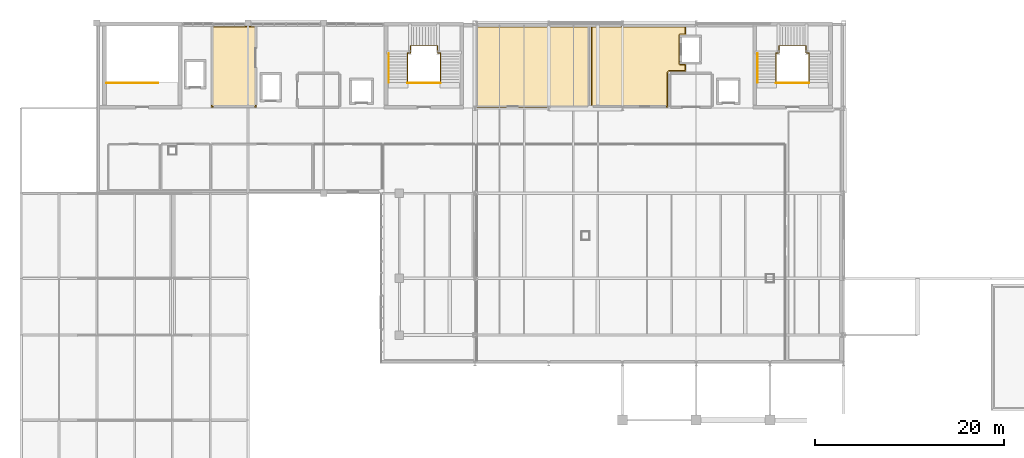
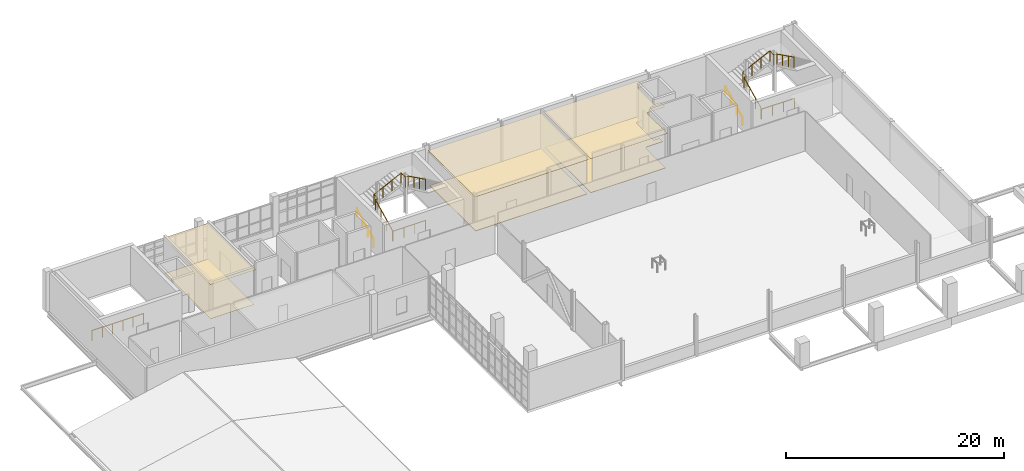
# One storey, part 38 of 38: 7 railings, 6 coverings.
"""IFC4 building model written with IfcOpenShell, lengths in metres."""

from ifc_helpers import new_model, si_unit, derived_unit, direction, frame, origin, origin_2d, place, context, subcontext, project, spatial, polyline, circle, outline, extrude, material, layer, layer_set, type_object, element, save


model = new_model("IFC4")

# Units and contexts
model_context = context("Model", 3, precision=1e-05, world=origin(), true_north=direction((0.0, 1.0)))
body_context = subcontext(model_context, "Body", "Model", "MODEL_VIEW")
ifc_project = project(units=[si_unit("LENGTHUNIT", "METRE"), si_unit("AREAUNIT", "SQUARE_METRE"), si_unit("VOLUMEUNIT", "CUBIC_METRE"), si_unit("PLANEANGLEUNIT", "RADIAN"), si_unit("MASSUNIT", "GRAM", prefix="KILO"), derived_unit("THERMALTRANSMITTANCEUNIT", [(si_unit("POWERUNIT", "WATT"), 1), (si_unit("LENGTHUNIT", "METRE"), -2), (si_unit("THERMODYNAMICTEMPERATUREUNIT", "KELVIN"), -1)])], contexts=[model_context])

# Site, building, storey
site_placement = place(None, origin())
site = spatial("IfcSite", under=ifc_project, at=site_placement, CompositionType="ELEMENT")
building_placement = place(site_placement, origin())
building = spatial("IfcBuilding", under=site, at=building_placement, Name="Nallur Shell Playhouse", CompositionType="ELEMENT")
storey_placement = place(building_placement, frame((0.0, 0.0, 24.300048828125)))
storey = spatial("IfcBuildingStorey", under=building, at=storey_placement, Name="L06", CompositionType="ELEMENT", Elevation=24.300048828125)

# Coverings
ifc_material_1 = material(Name="Micro-Perforated Teak Veneer Acoustic Baffle Ceiling")
ifc_layer_1 = layer(ifc_material_1, 0.044921875)
ifc_layer_set_1 = layer_set([ifc_layer_1], Name="Micro-Perforated Teak Veneer Acoustic Baffle Ceiling")
covering_type_1 = type_object("IfcCoveringType", Name="CV-CEIL-AC1", PredefinedType="CEILING", material=ifc_layer_set_1)
covering_1_placement = place(storey_placement, frame((0.0, 0.0, 3.905029296875)))
element("IfcCovering", 1, at=covering_1_placement, inside=storey, type_object=covering_type_1, Name="Costume Conservation & Textile Laboratory suspended acoustic ceiling", PredefinedType="CEILING", context=body_context, shape_type="SweptSolid", body=[
    extrude(outline(polyline([(64.090087890625, 74.090087890625), (64.090087890625, 82.7099609375), (76.110107421875, 82.7099609375), (76.110107421875, 74.090087890625), (64.090087890625, 74.090087890625)])), origin(), (0.0, 0.0, 1.0), 0.044921875),
])
ifc_material_2 = material(Name="Mineral-Fibre High-NRC Suspended Ceiling Tile")
ifc_layer_2 = layer(ifc_material_2, 0.030029296875)
ifc_layer_set_2 = layer_set([ifc_layer_2], Name="Mineral-Fibre High-NRC Suspended Ceiling Tile")
covering_type_2 = type_object("IfcCoveringType", Name="CV-CEIL-AC2", PredefinedType="CEILING", material=ifc_layer_set_2)
covering_2_placement = place(storey_placement, frame((0.0, 0.0, 3.919921875)))
element("IfcCovering", 2, at=covering_2_placement, inside=storey, type_object=covering_type_2, Name="Foley & Sound Recording Studio suspended acoustic ceiling", PredefinedType="CEILING", context=body_context, shape_type="SweptSolid", body=[
    extrude(outline(polyline([(36.090087890625, 74.090087890625), (36.090087890625, 82.7099609375), (40.909912109375, 82.7099609375), (40.909912109375, 74.090087890625), (36.090087890625, 74.090087890625)])), origin(), (0.0, 0.0, 1.0), 0.030029296875),
])
covering_3_placement = place(storey_placement, frame((0.0, 0.0, 3.919921875)))
element("IfcCovering", 3, at=covering_3_placement, inside=storey, type_object=covering_type_2, Name="Performing Arts Archive & Dramaturgy Reading Room suspended acoustic ceiling", PredefinedType="CEILING", context=body_context, shape_type="SweptSolid", body=[
    extrude(outline(polyline([(86.31005859375, 81.7099609375), (85.68994140625, 81.7099609375), (85.68994140625, 78.68994140625), (86.31005859375, 78.68994140625), (86.31005859375, 77.8701171875), (84.60107421875, 77.8701171875), (84.59912109375, 77.8701171875), (84.585205078125, 77.869384765625), (84.580810546875, 77.868896484375), (84.569580078125, 77.8671875), (84.56494140625, 77.8662109375), (84.552978515625, 77.86328125), (84.548583984375, 77.86181640625), (84.537109375, 77.85791015625), (84.533447265625, 77.856201171875), (84.521728515625, 77.850830078125), (84.517822265625, 77.8486328125), (84.50732421875, 77.84228515625), (84.50341796875, 77.83984375), (84.494384765625, 77.8330078125), (84.490966796875, 77.830078125), (84.4814453125, 77.821533203125), (84.478515625, 77.818603515625), (84.4697265625, 77.80908203125), (84.466796875, 77.8056640625), (84.460205078125, 77.796630859375), (84.457763671875, 77.792724609375), (84.451416015625, 77.7822265625), (84.44921875, 77.7783203125), (84.443603515625, 77.7666015625), (84.442138671875, 77.7626953125), (84.43798828125, 77.75146484375), (84.436767578125, 77.7470703125), (84.433837890625, 77.735107421875), (84.432861328125, 77.73046875), (84.43115234375, 77.71923828125), (84.4306640625, 77.714599609375), (84.429931640625, 77.700927734375), (84.429931640625, 77.698974609375), (84.429931640625, 74.090087890625), (76.2900390625, 74.090087890625), (76.2900390625, 82.7099609375), (86.31005859375, 82.7099609375), (86.31005859375, 81.7099609375)])), origin(), (0.0, 0.0, 1.0), 0.030029296875),
])
ifc_material_3 = material(Name="Heavy-Duty Woven Wool Auditorium Acoustic Flooring")
ifc_layer_3 = layer(ifc_material_3, 0.02001953125)
ifc_layer_set_3 = layer_set([ifc_layer_3], Name="Heavy-Duty Woven Wool Auditorium Acoustic Flooring")
covering_type_3 = type_object("IfcCoveringType", Name="CV-FLOR-CARPET", PredefinedType="FLOORING", material=ifc_layer_set_3)
covering_4_placement = place(storey_placement, origin())
element("IfcCovering", 4, at=covering_4_placement, inside=storey, type_object=covering_type_3, Name="Foley & Sound Recording Studio floor finish", PredefinedType="FLOORING", context=body_context, shape_type="SweptSolid", body=[
    extrude(outline(polyline([(36.199951171875, 74.199951171875), (36.199951171875, 82.60009765625), (40.800048828125, 82.60009765625), (40.800048828125, 74.199951171875), (36.199951171875, 74.199951171875)])), origin(), (0.0, 0.0, 1.0), 0.02001953125),
])
ifc_material_4 = material(Name="Polished Chettinad Oxide & White Marble Terrazzo Flooring", Category="masonry")
ifc_layer_4 = layer(ifc_material_4, 0.050048828125)
ifc_layer_set_4 = layer_set([ifc_layer_4], Name="Polished Chettinad Oxide & White Marble Terrazzo Flooring")
covering_type_4 = type_object("IfcCoveringType", Name="CV-FLOR-TERRAZZO", PredefinedType="FLOORING", material=ifc_layer_set_4)
covering_5_placement = place(storey_placement, origin())
element("IfcCovering", 5, at=covering_5_placement, inside=storey, type_object=covering_type_4, Name="Costume Conservation & Textile Laboratory floor finish", PredefinedType="FLOORING", context=body_context, shape_type="SweptSolid", body=[
    extrude(outline(polyline([(64.199951171875, 74.199951171875), (64.199951171875, 82.60009765625), (76.0, 82.60009765625), (76.0, 74.199951171875), (64.199951171875, 74.199951171875)])), origin(), (0.0, 0.0, 1.0), 0.050048828125),
])
covering_6_placement = place(storey_placement, origin())
element("IfcCovering", 6, at=covering_6_placement, inside=storey, type_object=covering_type_4, Name="Performing Arts Archive & Dramaturgy Reading Room floor finish", PredefinedType="FLOORING", context=body_context, shape_type="SweptSolid", body=[
    extrude(outline(polyline([(86.199951171875, 81.820068359375), (85.679931640625, 81.820068359375), (85.670166015625, 81.819580078125), (85.660400390625, 81.818115234375), (85.65087890625, 81.815673828125), (85.6416015625, 81.8125), (85.6328125, 81.80810546875), (85.62451171875, 81.802978515625), (85.61669921875, 81.79736328125), (85.609375, 81.790771484375), (85.602783203125, 81.783447265625), (85.596923828125, 81.775634765625), (85.591796875, 81.76708984375), (85.587646484375, 81.75830078125), (85.584228515625, 81.7490234375), (85.581787109375, 81.739501953125), (85.58056640625, 81.729736328125), (85.580078125, 81.719970703125), (85.580078125, 78.679931640625), (85.58056640625, 78.670166015625), (85.581787109375, 78.660400390625), (85.584228515625, 78.65087890625), (85.587646484375, 78.6416015625), (85.591796875, 78.6328125), (85.596923828125, 78.62451171875), (85.602783203125, 78.61669921875), (85.609375, 78.609375), (85.61669921875, 78.602783203125), (85.62451171875, 78.596923828125), (85.6328125, 78.591796875), (85.6416015625, 78.587646484375), (85.65087890625, 78.584228515625), (85.660400390625, 78.581787109375), (85.670166015625, 78.58056640625), (85.679931640625, 78.580078125), (86.199951171875, 78.580078125), (86.199951171875, 77.97998046875), (84.60009765625, 77.97998046875), (84.59521484375, 77.97998046875), (84.577392578125, 77.97900390625), (84.567626953125, 77.97802734375), (84.55029296875, 77.9755859375), (84.54052734375, 77.973388671875), (84.5234375, 77.96923828125), (84.51416015625, 77.96630859375), (84.497314453125, 77.96044921875), (84.48828125, 77.956787109375), (84.472412109375, 77.94921875), (84.463623046875, 77.944580078125), (84.448486328125, 77.935302734375), (84.4404296875, 77.929931640625), (84.42626953125, 77.91943359375), (84.418701171875, 77.9130859375), (84.405517578125, 77.9013671875), (84.398681640625, 77.894287109375), (84.38671875, 77.88134765625), (84.380615234375, 77.873779296875), (84.3701171875, 77.859619140625), (84.364501953125, 77.851318359375), (84.35546875, 77.836181640625), (84.350830078125, 77.82763671875), (84.34326171875, 77.8115234375), (84.339599609375, 77.802490234375), (84.33349609375, 77.785888671875), (84.330810546875, 77.776611328125), (84.326416015625, 77.759521484375), (84.324462890625, 77.749755859375), (84.322021484375, 77.732421875), (84.321044921875, 77.722412109375), (84.320068359375, 77.704833984375), (84.320068359375, 77.699951171875), (84.320068359375, 74.199951171875), (76.39990234375, 74.199951171875), (76.39990234375, 82.60009765625), (86.199951171875, 82.60009765625), (86.199951171875, 81.820068359375)])), origin(), (0.0, 0.0, 1.0), 0.050048828125),
])

# Railings
ifc_material_5 = material(Name="Brushed Stainless Steel 316 Balustrade & Toughened Infill", Category="steel")
railing_type_1 = type_object("IfcRailingType", Name="RL-GUARD-1100", PredefinedType="BALUSTRADE", material=ifc_material_5)
railing_1_placement = place(storey_placement, frame((56.860107421875, 76.699951171875, 0.0)))
element("IfcRailing", 7, at=railing_1_placement, inside=storey, type_object=railing_type_1, Name="Stair ST-03-L06 inner open-well guard", PredefinedType="BALUSTRADE", context=body_context, shape_type="SweptSolid", body=[
    extrude(circle(Radius=0.02392578125, at=origin_2d()), frame((0.0, 0.0, 1.15576171875), z_axis=(0.0, 0.897061799098, 0.441905112664), x_axis=(-1.0, 0.0, 0.0)), (0.0, 0.0, 1.0), 3.50048828125),
    extrude(circle(Radius=0.02392578125, at=origin_2d()), frame((0.0, 3.14013671875, 2.70263671875), z_axis=(1.0, 0.0, 0.0), x_axis=(0.0, 1.0, 0.0)), (0.0, 0.0, 1.0), 0.304931640625),
    extrude(circle(Radius=0.02392578125, at=origin_2d()), frame((0.304931640625, 3.14013671875, 2.70263671875), z_axis=(0.0, 1.0, 0.0), x_axis=(-1.0, 0.0, 0.0)), (0.0, 0.0, 1.0), 0.760009765625),
    extrude(circle(Radius=0.02392578125, at=origin_2d()), frame((0.304931640625, 3.900146484375, 2.70263671875), z_axis=(0.897988792334, 0.0, 0.440018327847), x_axis=(0.0, 1.0, 0.0)), (0.0, 0.0, 1.0), 3.19580078125),
    extrude(circle(Radius=0.02392578125, at=origin_2d()), frame((3.1748046875, 3.900146484375, 4.10888671875), z_axis=(0.0, -1.0, 0.0), x_axis=(1.0, 0.0, 0.0)), (0.0, 0.0, 1.0), 0.760009765625),
    extrude(circle(Radius=0.02392578125, at=origin_2d()), frame((3.1748046875, 3.14013671875, 4.10888671875), z_axis=(1.0, 0.0, 0.0), x_axis=(0.0, 1.0, 0.0)), (0.0, 0.0, 1.0), 0.30517578125),
    extrude(circle(Radius=0.02392578125, at=origin_2d()), frame((3.47998046875, 3.14013671875, 4.10888671875), z_axis=(0.0, -0.897061799098, 0.441905112664), x_axis=(1.0, 0.0, 0.0)), (0.0, 0.0, 1.0), 3.50048828125),
    extrude(circle(Radius=0.02099609375, at=origin_2d()), origin(), (0.0, 0.0, 1.0), 1.1318359375),
    extrude(circle(Radius=0.02099609375, at=origin_2d()), frame((0.0, 1.046630859375, 0.515625)), (0.0, 0.0, 1.0), 1.1318359375),
    extrude(circle(Radius=0.02099609375, at=origin_2d()), frame((0.0, 2.093505859375, 1.03125)), (0.0, 0.0, 1.0), 1.1318359375),
    extrude(circle(Radius=0.02099609375, at=origin_2d()), frame((0.0, 3.14013671875, 1.546875)), (0.0, 0.0, 1.0), 1.1318359375),
    extrude(circle(Radius=0.02099609375, at=origin_2d()), frame((0.304931640625, 3.14013671875, 1.546875)), (0.0, 0.0, 1.0), 1.1318359375),
    extrude(circle(Radius=0.02099609375, at=origin_2d()), frame((0.304931640625, 3.900146484375, 1.546875)), (0.0, 0.0, 1.0), 1.1318359375),
    extrude(circle(Radius=0.02099609375, at=origin_2d()), frame((1.261474609375, 3.900146484375, 2.015625)), (0.0, 0.0, 1.0), 1.1318359375),
    extrude(circle(Radius=0.02099609375, at=origin_2d()), frame((2.21826171875, 3.900146484375, 2.484375)), (0.0, 0.0, 1.0), 1.1318359375),
    extrude(circle(Radius=0.02099609375, at=origin_2d()), frame((3.1748046875, 3.900146484375, 2.953125)), (0.0, 0.0, 1.0), 1.1318359375),
    extrude(circle(Radius=0.02099609375, at=origin_2d()), frame((3.1748046875, 3.14013671875, 2.953125)), (0.0, 0.0, 1.0), 1.1318359375),
    extrude(circle(Radius=0.02099609375, at=origin_2d()), frame((3.47998046875, 3.14013671875, 2.953125)), (0.0, 0.0, 1.0), 1.1318359375),
    extrude(circle(Radius=0.02099609375, at=origin_2d()), frame((3.47998046875, 2.093505859375, 3.46875)), (0.0, 0.0, 1.0), 1.1318359375),
    extrude(circle(Radius=0.02099609375, at=origin_2d()), frame((3.47998046875, 1.046630859375, 3.984375)), (0.0, 0.0, 1.0), 1.1318359375),
    extrude(circle(Radius=0.02099609375, at=origin_2d()), frame((3.47998046875, 0.0, 4.5)), (0.0, 0.0, 1.0), 1.1318359375),
])
railing_2_placement = place(storey_placement, frame((56.860107421875, 76.639892578125, 0.0)))
element("IfcRailing", 8, at=railing_2_placement, inside=storey, type_object=railing_type_1, Name="Stair ST-03-L06 floor-well guard", PredefinedType="BALUSTRADE", context=body_context, shape_type="SweptSolid", body=[
    extrude(circle(Radius=0.02392578125, at=origin_2d()), frame((0.0, 0.0, 1.09619140625), z_axis=(1.0, 0.0, 0.0), x_axis=(0.0, 1.0, 0.0)), (0.0, 0.0, 1.0), 3.47998046875),
    extrude(circle(Radius=0.02099609375, at=origin_2d()), origin(), (0.0, 0.0, 1.0), 1.072021484375),
    extrude(circle(Radius=0.02099609375, at=origin_2d()), frame((1.159912109375, 0.0, 0.0)), (0.0, 0.0, 1.0), 1.072021484375),
    extrude(circle(Radius=0.02099609375, at=origin_2d()), frame((2.320068359375, 0.0, 0.0)), (0.0, 0.0, 1.0), 1.072021484375),
    extrude(circle(Radius=0.02099609375, at=origin_2d()), frame((3.47998046875, 0.0, 0.0)), (0.0, 0.0, 1.0), 1.072021484375),
])
railing_3_placement = place(storey_placement, frame((95.860107421875, 76.699951171875, 0.0)))
element("IfcRailing", 9, at=railing_3_placement, inside=storey, type_object=railing_type_1, Name="Stair ST-04-L06 inner open-well guard", PredefinedType="BALUSTRADE", context=body_context, shape_type="SweptSolid", body=[
    extrude(circle(Radius=0.02392578125, at=origin_2d()), frame((0.0, 0.0, 1.15576171875), z_axis=(0.0, 0.897061799098, 0.441905112664), x_axis=(-1.0, 0.0, 0.0)), (0.0, 0.0, 1.0), 3.50048828125),
    extrude(circle(Radius=0.02392578125, at=origin_2d()), frame((0.0, 3.14013671875, 2.70263671875), z_axis=(1.0, 0.0, 0.0), x_axis=(0.0, 1.0, 0.0)), (0.0, 0.0, 1.0), 0.304931640625),
    extrude(circle(Radius=0.02392578125, at=origin_2d()), frame((0.304931640625, 3.14013671875, 2.70263671875), z_axis=(0.0, 1.0, 0.0), x_axis=(-1.0, 0.0, 0.0)), (0.0, 0.0, 1.0), 0.760009765625),
    extrude(circle(Radius=0.02392578125, at=origin_2d()), frame((0.304931640625, 3.900146484375, 2.70263671875), z_axis=(0.897988792334, 0.0, 0.440018327847), x_axis=(0.0, 1.0, 0.0)), (0.0, 0.0, 1.0), 3.19580078125),
    extrude(circle(Radius=0.02392578125, at=origin_2d()), frame((3.1748046875, 3.900146484375, 4.10888671875), z_axis=(0.0, -1.0, 0.0), x_axis=(1.0, 0.0, 0.0)), (0.0, 0.0, 1.0), 0.760009765625),
    extrude(circle(Radius=0.02392578125, at=origin_2d()), frame((3.1748046875, 3.14013671875, 4.10888671875), z_axis=(1.0, 0.0, 0.0), x_axis=(0.0, 1.0, 0.0)), (0.0, 0.0, 1.0), 0.30517578125),
    extrude(circle(Radius=0.02392578125, at=origin_2d()), frame((3.47998046875, 3.14013671875, 4.10888671875), z_axis=(0.0, -0.897061799098, 0.441905112664), x_axis=(1.0, 0.0, 0.0)), (0.0, 0.0, 1.0), 3.50048828125),
    extrude(circle(Radius=0.02099609375, at=origin_2d()), origin(), (0.0, 0.0, 1.0), 1.1318359375),
    extrude(circle(Radius=0.02099609375, at=origin_2d()), frame((0.0, 1.046630859375, 0.515625)), (0.0, 0.0, 1.0), 1.1318359375),
    extrude(circle(Radius=0.02099609375, at=origin_2d()), frame((0.0, 2.093505859375, 1.03125)), (0.0, 0.0, 1.0), 1.1318359375),
    extrude(circle(Radius=0.02099609375, at=origin_2d()), frame((0.0, 3.14013671875, 1.546875)), (0.0, 0.0, 1.0), 1.1318359375),
    extrude(circle(Radius=0.02099609375, at=origin_2d()), frame((0.304931640625, 3.14013671875, 1.546875)), (0.0, 0.0, 1.0), 1.1318359375),
    extrude(circle(Radius=0.02099609375, at=origin_2d()), frame((0.304931640625, 3.900146484375, 1.546875)), (0.0, 0.0, 1.0), 1.1318359375),
    extrude(circle(Radius=0.02099609375, at=origin_2d()), frame((1.261474609375, 3.900146484375, 2.015625)), (0.0, 0.0, 1.0), 1.1318359375),
    extrude(circle(Radius=0.02099609375, at=origin_2d()), frame((2.21826171875, 3.900146484375, 2.484375)), (0.0, 0.0, 1.0), 1.1318359375),
    extrude(circle(Radius=0.02099609375, at=origin_2d()), frame((3.1748046875, 3.900146484375, 2.953125)), (0.0, 0.0, 1.0), 1.1318359375),
    extrude(circle(Radius=0.02099609375, at=origin_2d()), frame((3.1748046875, 3.14013671875, 2.953125)), (0.0, 0.0, 1.0), 1.1318359375),
    extrude(circle(Radius=0.02099609375, at=origin_2d()), frame((3.47998046875, 3.14013671875, 2.953125)), (0.0, 0.0, 1.0), 1.1318359375),
    extrude(circle(Radius=0.02099609375, at=origin_2d()), frame((3.47998046875, 2.093505859375, 3.46875)), (0.0, 0.0, 1.0), 1.1318359375),
    extrude(circle(Radius=0.02099609375, at=origin_2d()), frame((3.47998046875, 1.046630859375, 3.984375)), (0.0, 0.0, 1.0), 1.1318359375),
    extrude(circle(Radius=0.02099609375, at=origin_2d()), frame((3.47998046875, 0.0, 4.5)), (0.0, 0.0, 1.0), 1.1318359375),
])
railing_4_placement = place(storey_placement, frame((95.860107421875, 76.639892578125, 0.0)))
element("IfcRailing", 10, at=railing_4_placement, inside=storey, type_object=railing_type_1, Name="Stair ST-04-L06 floor-well guard", PredefinedType="BALUSTRADE", context=body_context, shape_type="SweptSolid", body=[
    extrude(circle(Radius=0.02392578125, at=origin_2d()), frame((0.0, 0.0, 1.09619140625), z_axis=(1.0, 0.0, 0.0), x_axis=(0.0, 1.0, 0.0)), (0.0, 0.0, 1.0), 3.47998046875),
    extrude(circle(Radius=0.02099609375, at=origin_2d()), origin(), (0.0, 0.0, 1.0), 1.072021484375),
    extrude(circle(Radius=0.02099609375, at=origin_2d()), frame((1.159912109375, 0.0, 0.0)), (0.0, 0.0, 1.0), 1.072021484375),
    extrude(circle(Radius=0.02099609375, at=origin_2d()), frame((2.320068359375, 0.0, 0.0)), (0.0, 0.0, 1.0), 1.072021484375),
    extrude(circle(Radius=0.02099609375, at=origin_2d()), frame((3.47998046875, 0.0, 0.0)), (0.0, 0.0, 1.0), 1.072021484375),
])
railing_5_placement = place(storey_placement, frame((25.0400390625, 76.639892578125, 0.0)))
element("IfcRailing", 11, at=railing_5_placement, inside=storey, type_object=railing_type_1, Name="Stair ST-06 top landing guardrail (L06)", PredefinedType="BALUSTRADE", context=body_context, shape_type="SweptSolid", body=[
    extrude(circle(Radius=0.02392578125, at=origin_2d()), frame((0.0, 0.0, 1.1357421875), z_axis=(1.0, 0.0, 0.0), x_axis=(0.0, 1.0, 0.0)), (0.0, 0.0, 1.0), 5.43994140625),
    extrude(circle(Radius=0.02099609375, at=origin_2d()), origin(), (0.0, 0.0, 1.0), 1.11181640625),
    extrude(circle(Radius=0.02099609375, at=origin_2d()), frame((1.087890625, 0.0, 0.0)), (0.0, 0.0, 1.0), 1.11181640625),
    extrude(circle(Radius=0.02099609375, at=origin_2d()), frame((2.176025390625, 0.0, 0.0)), (0.0, 0.0, 1.0), 1.11181640625),
    extrude(circle(Radius=0.02099609375, at=origin_2d()), frame((3.263916015625, 0.0, 0.0)), (0.0, 0.0, 1.0), 1.11181640625),
    extrude(circle(Radius=0.02099609375, at=origin_2d()), frame((4.35205078125, 0.0, 0.0)), (0.0, 0.0, 1.0), 1.11181640625),
    extrude(circle(Radius=0.02099609375, at=origin_2d()), frame((5.43994140625, 0.0, 0.0)), (0.0, 0.0, 1.0), 1.11181640625),
])
ifc_material_6 = material(Name="Stainless Steel 316 Continuous Tubular Handrail", Category="steel")
railing_type_2 = type_object("IfcRailingType", Name="RL-HANDRAIL-900", PredefinedType="HANDRAIL", material=ifc_material_6)
for number, where, name in (
    (12, (54.8798828125, 76.699951171875, 0.0), "Stair ST-03-L06 outer handrail F1"),
    (13, (93.8798828125, 76.699951171875, 0.0), "Stair ST-04-L06 outer handrail F1"),
):
    element("IfcRailing", number, at=place(storey_placement, frame(where)), inside=storey, type_object=railing_type_2, Name=name, PredefinedType="HANDRAIL", context=body_context, shape_type="SweptSolid", body=[
        extrude(circle(Radius=0.02392578125, at=origin_2d()), frame((0.0, 0.0, 0.89599609375), z_axis=(0.0, 0.894793320535, 0.446480585833), x_axis=(-1.0, 0.0, 0.0)), (0.0, 0.0, 1.0), 3.464599609375),
        extrude(circle(Radius=0.02099609375, at=origin_2d()), origin(), (0.0, 0.0, 1.0), 0.871826171875),
        extrude(circle(Radius=0.02099609375, at=origin_2d()), frame((0.0, 1.033447265625, 0.515625)), (0.0, 0.0, 1.0), 0.871826171875),
        extrude(circle(Radius=0.02099609375, at=origin_2d()), frame((0.0, 2.066650390625, 1.03125)), (0.0, 0.0, 1.0), 0.871826171875),
        extrude(circle(Radius=0.02099609375, at=origin_2d()), frame((0.0, 3.10009765625, 1.546875)), (0.0, 0.0, 1.0), 0.871826171875),
    ])

save(model, "model.ifc")
